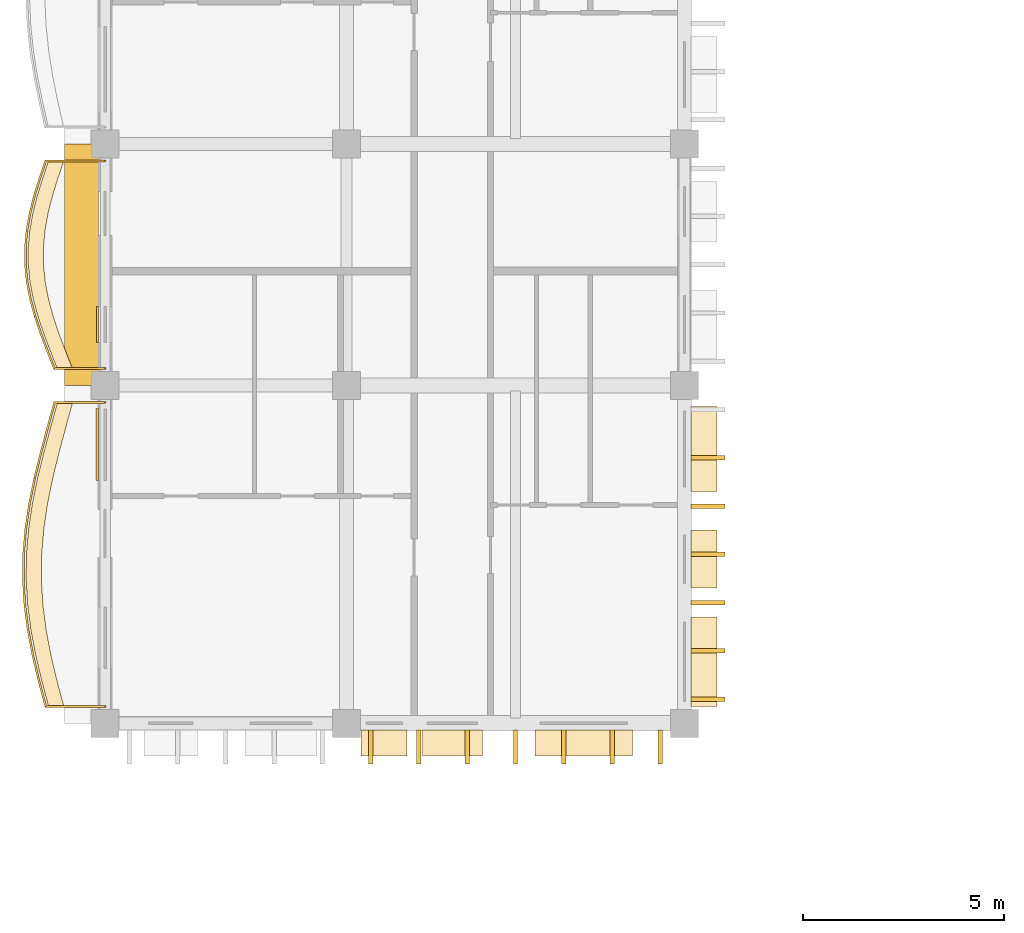
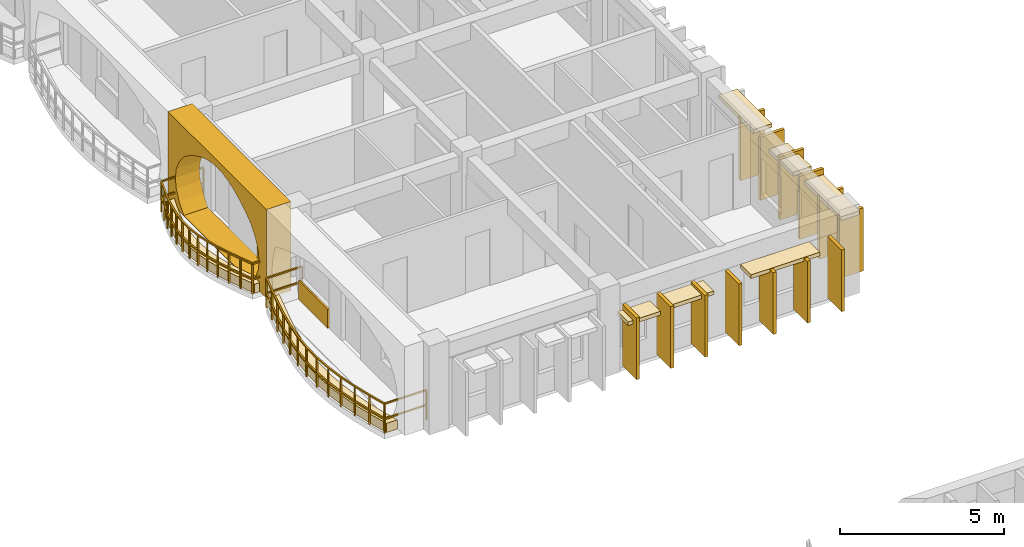
# One storey, part 48 of 70: 24 coverings, 2 railings.
"""IFC4 building model written with IfcOpenShell, lengths in metres."""

from ifc_helpers import new_model, si_unit, direction, frame, origin, origin_2d, place, context, subcontext, project, spatial, polyline, rectangle, outline, extrude, material, layer, layer_set, type_object, element, save


model = new_model("IFC4")

# Units and contexts
model_context = context("Model", 3, precision=1e-05, world=origin(), true_north=direction((0.0, 1.0)))
body_context = subcontext(model_context, "Body", "Model", "MODEL_VIEW")
ifc_project = project(units=[si_unit("LENGTHUNIT", "METRE"), si_unit("AREAUNIT", "SQUARE_METRE"), si_unit("VOLUMEUNIT", "CUBIC_METRE"), si_unit("PLANEANGLEUNIT", "RADIAN"), si_unit("MASSUNIT", "GRAM", prefix="KILO"), si_unit("THERMODYNAMICTEMPERATUREUNIT", "KELVIN")], contexts=[model_context])

# Site, building, storey
site_placement = place(None, origin())
site = spatial("IfcSite", under=ifc_project, at=site_placement, CompositionType="ELEMENT")
building_placement = place(site_placement, origin())
building = spatial("IfcBuilding", under=site, at=building_placement, Name="Thalorik Housing Commons", CompositionType="ELEMENT")
storey_placement = place(building_placement, frame((0.0, 0.0, 14.699951171875)))
storey = spatial("IfcBuildingStorey", under=building, at=storey_placement, Name="L04", CompositionType="ELEMENT", Elevation=14.699951171875)

# Coverings
ifc_material_1 = material(Name="Cobalt blue glazed ceramic facade tile panel", Category="masonry")
ifc_layer_1 = layer(ifc_material_1, 0.06005859375, Name="Cobalt blue glazed ceramic facade tile panel", Category="masonry")
ifc_layer_set_1 = layer_set([ifc_layer_1], Name="Cobalt blue glazed ceramic facade tile panel")
covering_type_1 = type_object("IfcCoveringType", Name="ARC-CLD-BLU-60", PredefinedType="CLADDING", material=ifc_layer_set_1)
covering_1_placement = place(storey_placement, frame((8.205078125, 78.929931640625, 0.05029296875), z_axis=(0.0, 0.0, 1.0), x_axis=(0.0, -1.0, 0.0)))
element("IfcCovering", 1, at=covering_1_placement, inside=storey, type_object=covering_type_1, Name="L04 De Stijl Recessed Window Spandrel 451", PredefinedType="CLADDING", context=body_context, shape_type="SweptSolid", body=[
    extrude(rectangle(XDim=1.780029296875, YDim=0.06005859375, at=origin_2d()), origin(), (0.0, 0.0, 1.0), 0.699951171875),
])
ifc_material_2 = material(Name="Precast concrete C40/50", Category="concrete")
ifc_layer_2 = layer(ifc_material_2, 0.85009765625, Name="Precast concrete C40/50", Category="concrete")
ifc_layer_set_2 = layer_set([ifc_layer_2], Name="Precast concrete C40/50")
covering_type_2 = type_object("IfcCoveringType", Name="ARC-CLD-CUSH-850", PredefinedType="CLADDING", material=ifc_layer_set_2)
covering_2_placement = place(storey_placement, frame((7.81494140625, 83.39990234375, 0.0), z_axis=(0.0, 0.0, 1.0), x_axis=(0.0, -1.0, 0.0)))
element("IfcCovering", 2, at=covering_2_placement, inside=storey, type_object=covering_type_2, Name="L04 White Precast Curved Cushion Bay Frame 448", PredefinedType="CLADDING", context=body_context, shape_type="SweptSolid", body=[
    extrude(outline(polyline([(-3.0, 0.0), (3.0, 0.0), (3.0, 3.300048828125), (-3.0, 3.300048828125), (-3.0, 0.0)]), holes=[polyline([(2.0400390625, 0.02490234375), (2.3232421875, 0.387451171875), (2.493408203125, 0.75), (2.550048828125, 1.112548828125), (2.493408203125, 1.47509765625), (2.3232421875, 1.83740234375), (2.0400390625, 2.199951171875), (1.699951171875, 2.455810546875), (1.360107421875, 2.656494140625), (1.02001953125, 2.819091796875), (0.679931640625, 2.940185546875), (0.340087890625, 3.014892578125), (0.0, 3.0400390625), (-0.340087890625, 3.014892578125), (-0.679931640625, 2.940185546875), (-1.02001953125, 2.819091796875), (-1.360107421875, 2.656494140625), (-1.699951171875, 2.455810546875), (-2.0400390625, 2.199951171875), (-2.3232421875, 1.83740234375), (-2.493408203125, 1.47509765625), (-2.550048828125, 1.112548828125), (-2.493408203125, 0.75), (-2.3232421875, 0.387451171875), (-2.0400390625, 0.02490234375), (2.0400390625, 0.02490234375)])]), frame((0.0, 0.425048828125, 0.0), z_axis=(0.0, -1.0, 0.0), x_axis=(1.0, 0.0, 0.0)), (0.0, 0.0, 1.0), 0.85009765625),
])
ifc_layer_3 = layer(ifc_material_2, 0.85009765625, Name="Precast concrete C40/50", Category="concrete")
ifc_layer_set_3 = layer_set([ifc_layer_3], Name="Precast concrete C40/50")
covering_type_3 = type_object("IfcCoveringType", Name="ARC-CLD-FIN-850", PredefinedType="CLADDING", material=ifc_layer_set_3)
for number, where, z_axis, x_axis, name in (
    (3, (15.0, 71.4150390625, 0.0400390625), (0.0, 0.0, 1.0), (1.0, 0.0, 0.0), "L04 Courtyard Precast Vertical Brise-Soleil Fin 459"),
    (4, (16.199951171875, 71.4150390625, 0.0400390625), (0.0, 0.0, 1.0), (1.0, 0.0, 0.0), "L04 Courtyard Precast Vertical Brise-Soleil Fin 460"),
    (5, (17.39990234375, 71.4150390625, 0.0400390625), (0.0, 0.0, 1.0), (1.0, 0.0, 0.0), "L04 Courtyard Precast Vertical Brise-Soleil Fin 461"),
    (6, (18.60009765625, 71.4150390625, 0.0400390625), (0.0, 0.0, 1.0), (1.0, 0.0, 0.0), "L04 Courtyard Precast Vertical Brise-Soleil Fin 462"),
    (7, (19.800048828125, 71.4150390625, 0.0400390625), (0.0, 0.0, 1.0), (1.0, 0.0, 0.0), "L04 Courtyard Precast Vertical Brise-Soleil Fin 463"),
    (8, (21.0, 71.4150390625, 0.0400390625), (0.0, 0.0, 1.0), (1.0, 0.0, 0.0), "L04 Courtyard Precast Vertical Brise-Soleil Fin 464"),
    (9, (22.199951171875, 71.4150390625, 0.0400390625), (0.0, 0.0, 1.0), (1.0, 0.0, 0.0), "L04 Courtyard Precast Vertical Brise-Soleil Fin 465"),
):
    element("IfcCovering", number, at=place(storey_placement, frame(where, z_axis=z_axis, x_axis=x_axis)), inside=storey, type_object=covering_type_3, Name=name, PredefinedType="CLADDING", context=body_context, shape_type="SweptSolid", body=[
        extrude(rectangle(XDim=0.110107421875, YDim=0.85009765625, at=origin_2d()), origin(), (0.0, 0.0, 1.0), 2.294921875),
    ])
for number, where, z_axis, x_axis, name in (
    (10, (23.385009765625, 72.60009765625, 0.0400390625), (0.0, 0.0, 1.0), (0.0, 1.0, 0.0), "L04 Courtyard Precast Vertical Brise-Soleil Fin 469"),
    (11, (23.385009765625, 73.800048828125, 0.0400390625), (0.0, 0.0, 1.0), (0.0, 1.0, 0.0), "L04 Courtyard Precast Vertical Brise-Soleil Fin 470"),
    (12, (23.385009765625, 75.0, 0.0400390625), (0.0, 0.0, 1.0), (0.0, 1.0, 0.0), "L04 Courtyard Precast Vertical Brise-Soleil Fin 471"),
    (13, (23.385009765625, 76.199951171875, 0.0400390625), (0.0, 0.0, 1.0), (0.0, 1.0, 0.0), "L04 Courtyard Precast Vertical Brise-Soleil Fin 472"),
    (14, (23.385009765625, 77.39990234375, 0.0400390625), (0.0, 0.0, 1.0), (0.0, 1.0, 0.0), "L04 Courtyard Precast Vertical Brise-Soleil Fin 473"),
    (15, (23.385009765625, 78.60009765625, 0.0400390625), (0.0, 0.0, 1.0), (0.0, 1.0, 0.0), "L04 Courtyard Precast Vertical Brise-Soleil Fin 474"),
):
    element("IfcCovering", number, at=place(storey_placement, frame(where, z_axis=z_axis, x_axis=x_axis)), inside=storey, type_object=covering_type_3, Name=name, PredefinedType="CLADDING", context=body_context, shape_type="SweptSolid", body=[
        extrude(rectangle(XDim=0.110107421875, YDim=0.85009765625, at=origin_2d()), origin(), (0.0, 0.0, 1.0), 2.344970703125),
    ])
ifc_layer_4 = layer(ifc_material_2, 0.64990234375, Name="Precast concrete C40/50", Category="concrete")
ifc_layer_set_4 = layer_set([ifc_layer_4], Name="Precast concrete C40/50")
covering_type_4 = type_object("IfcCoveringType", Name="ARC-CLD-HOOD-650", PredefinedType="CLADDING", material=ifc_layer_set_4)
covering_3_placement = place(storey_placement, frame((15.3349609375, 71.514892578125, 1.990234375), z_axis=(0.0, 0.0, 1.0), x_axis=(1.0, 0.0, 0.0)))
element("IfcCovering", 16, at=covering_3_placement, inside=storey, type_object=covering_type_4, Name="L04 Courtyard Precast Window Sun-Hood 466", PredefinedType="CLADDING", context=body_context, shape_type="SweptSolid", body=[
    extrude(rectangle(XDim=1.139892578125, YDim=0.64990234375, at=origin_2d()), origin(), (0.0, 0.0, 1.0), 0.139892578125),
])
covering_4_placement = place(storey_placement, frame((17.030029296875, 71.514892578125, 2.09033203125), z_axis=(0.0, 0.0, 1.0), x_axis=(1.0, 0.0, 0.0)))
element("IfcCovering", 17, at=covering_4_placement, inside=storey, type_object=covering_type_4, Name="L04 Courtyard Precast Window Sun-Hood 467", PredefinedType="CLADDING", context=body_context, shape_type="SweptSolid", body=[
    extrude(rectangle(XDim=1.489990234375, YDim=0.64990234375, at=origin_2d()), origin(), (0.0, 0.0, 1.0), 0.139892578125),
])
covering_5_placement = place(storey_placement, frame((20.294921875, 71.514892578125, 2.22509765625), z_axis=(0.0, 0.0, 1.0), x_axis=(1.0, 0.0, 0.0)))
element("IfcCovering", 18, at=covering_5_placement, inside=storey, type_object=covering_type_4, Name="L04 Courtyard Precast Window Sun-Hood 468", PredefinedType="CLADDING", context=body_context, shape_type="SweptSolid", body=[
    extrude(rectangle(XDim=2.419921875, YDim=0.64990234375, at=origin_2d()), origin(), (0.0, 0.0, 1.0), 0.139892578125),
])
covering_6_placement = place(storey_placement, frame((23.284912109375, 73.5341796875, 2.27490234375), z_axis=(0.0, 0.0, 1.0), x_axis=(0.0, 1.0, 0.0)))
element("IfcCovering", 19, at=covering_6_placement, inside=storey, type_object=covering_type_4, Name="L04 Courtyard Precast Window Sun-Hood 476", PredefinedType="CLADDING", context=body_context, shape_type="SweptSolid", body=[
    extrude(rectangle(XDim=2.219970703125, YDim=0.64990234375, at=origin_2d()), origin(), (0.0, 0.0, 1.0), 0.139892578125),
])
covering_7_placement = place(storey_placement, frame((23.284912109375, 76.082275390625, 2.14013671875), z_axis=(0.0, 0.0, 1.0), x_axis=(0.0, 1.0, 0.0)))
element("IfcCovering", 20, at=covering_7_placement, inside=storey, type_object=covering_type_4, Name="L04 Courtyard Precast Window Sun-Hood 477", PredefinedType="CLADDING", context=body_context, shape_type="SweptSolid", body=[
    extrude(rectangle(XDim=1.43994140625, YDim=0.64990234375, at=origin_2d()), origin(), (0.0, 0.0, 1.0), 0.139892578125),
])
covering_8_placement = place(storey_placement, frame((23.284912109375, 78.818115234375, 2.27490234375), z_axis=(0.0, 0.0, 1.0), x_axis=(0.0, 1.0, 0.0)))
element("IfcCovering", 21, at=covering_8_placement, inside=storey, type_object=covering_type_4, Name="L04 Courtyard Precast Window Sun-Hood 478", PredefinedType="CLADDING", context=body_context, shape_type="SweptSolid", body=[
    extrude(rectangle(XDim=2.1201171875, YDim=0.64990234375, at=origin_2d()), origin(), (0.0, 0.0, 1.0), 0.139892578125),
])
ifc_material_3 = material(Name="Terracotta red mineral fibre-cement panel", Category="masonry")
ifc_layer_5 = layer(ifc_material_3, 0.054931640625, Name="Terracotta red mineral fibre-cement panel", Category="masonry")
ifc_layer_set_5 = layer_set([ifc_layer_5], Name="Terracotta red mineral fibre-cement panel")
covering_type_5 = type_object("IfcCoveringType", Name="ARC-CLD-RED-55", PredefinedType="CLADDING", material=ifc_layer_set_5)
covering_9_placement = place(storey_placement, frame((8.20751953125, 81.9150390625, 0.05029296875), z_axis=(0.0, 0.0, 1.0), x_axis=(0.0, -1.0, 0.0)))
element("IfcCovering", 22, at=covering_9_placement, inside=storey, type_object=covering_type_5, Name="L04 De Stijl Recessed Window Spandrel 449", PredefinedType="CLADDING", context=body_context, shape_type="SweptSolid", body=[
    extrude(rectangle(XDim=0.89990234375, YDim=0.054931640625, at=origin_2d()), origin(), (0.0, 0.0, 1.0), 0.699951171875),
])
ifc_material_4 = material(Name="Planted vegetated substrate and terracotta trough", Category="masonry")
ifc_layer_6 = layer(ifc_material_4, 0.340087890625, Name="Planted vegetated substrate and terracotta trough", Category="masonry")
ifc_layer_set_6 = layer_set([ifc_layer_6], Name="Planted vegetated substrate and terracotta trough")
covering_type_6 = type_object("IfcCoveringType", Name="ARC-COV-PLANTER", PredefinedType="USERDEFINED", material=ifc_layer_set_6)
covering_10_placement = place(storey_placement, origin())
element("IfcCovering", 23, at=covering_10_placement, inside=storey, type_object=covering_type_6, Name="L04 Balcony Slab-Edge Planted Trough 5342", ObjectType="PLANTER", PredefinedType="USERDEFINED", context=body_context, shape_type="SweptSolid", body=[
    extrude(outline(polyline([(7.214111328125, 79.97998046875), (7.04150390625, 79.35009765625), (6.872314453125, 78.719970703125), (6.718017578125, 78.090087890625), (6.589599609375, 77.4599609375), (6.495849609375, 76.830078125), (6.443603515625, 76.199951171875), (6.436279296875, 75.570068359375), (6.474609375, 74.93994140625), (6.556640625, 74.31005859375), (6.676513671875, 73.679931640625), (6.825927734375, 73.050048828125), (6.9951171875, 72.419921875), (7.375, 72.419921875), (7.205810546875, 73.050048828125), (7.056396484375, 73.679931640625), (6.9365234375, 74.31005859375), (6.854736328125, 74.93994140625), (6.816162109375, 75.570068359375), (6.823486328125, 76.199951171875), (6.8759765625, 76.830078125), (6.969482421875, 77.4599609375), (7.09814453125, 78.090087890625), (7.252197265625, 78.719970703125), (7.42138671875, 79.35009765625), (7.59423828125, 79.97998046875), (7.214111328125, 79.97998046875)])), origin(), (0.0, 0.0, 1.0), 0.340087890625),
])
covering_11_placement = place(storey_placement, origin())
element("IfcCovering", 24, at=covering_11_placement, inside=storey, type_object=covering_type_6, Name="L04 Balcony Slab-Edge Planted Trough 5343", ObjectType="PLANTER", PredefinedType="USERDEFINED", context=body_context, shape_type="SweptSolid", body=[
    extrude(outline(polyline([(6.99365234375, 85.97998046875), (6.8466796875, 85.550048828125), (6.7138671875, 85.1201171875), (6.604736328125, 84.68994140625), (6.52734375, 84.260009765625), (6.48779296875, 83.830078125), (6.489013671875, 83.39990234375), (6.531982421875, 82.969970703125), (6.614501953125, 82.5400390625), (6.731689453125, 82.110107421875), (6.876220703125, 81.679931640625), (7.03857421875, 81.25), (7.20849609375, 80.820068359375), (7.58837890625, 80.820068359375), (7.418701171875, 81.25), (7.256103515625, 81.679931640625), (7.11181640625, 82.110107421875), (6.99462890625, 82.5400390625), (6.912109375, 82.969970703125), (6.868896484375, 83.39990234375), (6.86767578125, 83.830078125), (6.907470703125, 84.260009765625), (6.98486328125, 84.68994140625), (7.09375, 85.1201171875), (7.2265625, 85.550048828125), (7.37353515625, 85.97998046875), (6.99365234375, 85.97998046875)])), origin(), (0.0, 0.0, 1.0), 0.340087890625),
])

# Railings
ifc_material_5 = material(Name="Steel S355", Category="steel")
railing_type_1 = type_object("IfcRailingType", Name="ARC-RL-BAL-112", PredefinedType="BALUSTRADE", material=ifc_material_5)
railing_1_placement = place(storey_placement, frame((8.39990234375, 79.97998046875, 0.0)))
element("IfcRailing", 25, at=railing_1_placement, inside=storey, type_object=railing_type_1, Name="L04 Cushion Balcony Guardrail 26", PredefinedType="BALUSTRADE", context=body_context, shape_type="SweptSolid", body=[
    extrude(rectangle(XDim=0.050048828125, YDim=0.050048828125, at=origin_2d()), frame((0.0, 0.0, 1.09521484375), z_axis=(-1.0, 0.0, 0.0), x_axis=(0.0, -1.0, 0.0)), (0.0, 0.0, 1.0), 1.255615234375),
    extrude(rectangle(XDim=0.050048828125, YDim=0.050048828125, at=origin_2d()), frame((0.0, 0.0, 0.53515625), z_axis=(-1.0, 0.0, 0.0), x_axis=(0.0, -1.0, 0.0)), (0.0, 0.0, 1.0), 1.255615234375),
    extrude(rectangle(XDim=0.050048828125, YDim=0.050048828125, at=origin_2d()), frame((-1.255615234375, 0.0, 1.09521484375), z_axis=(-0.264635195896, -0.964348595215, 0.0), x_axis=(0.964348595215, -0.264635195896, 0.0)), (0.0, 0.0, 1.0), 0.653076171875),
    extrude(rectangle(XDim=0.050048828125, YDim=0.050048828125, at=origin_2d()), frame((-1.255615234375, 0.0, 0.53515625), z_axis=(-0.264635195896, -0.964348595215, 0.0), x_axis=(0.964348595215, -0.264635195896, 0.0)), (0.0, 0.0, 1.0), 0.653076171875),
    extrude(rectangle(XDim=0.050048828125, YDim=0.050048828125, at=origin_2d()), frame((-1.428466796875, -0.6298828125, 1.09521484375), z_axis=(-0.259315865453, -0.965792566716, 0.0), x_axis=(0.965792566716, -0.259315865453, 0.0)), (0.0, 0.0, 1.0), 0.65234375),
    extrude(rectangle(XDim=0.050048828125, YDim=0.050048828125, at=origin_2d()), frame((-1.428466796875, -0.6298828125, 0.53515625), z_axis=(-0.259315865453, -0.965792566716, 0.0), x_axis=(0.965792566716, -0.259315865453, 0.0)), (0.0, 0.0, 1.0), 0.65234375),
    extrude(rectangle(XDim=0.050048828125, YDim=0.050048828125, at=origin_2d()), frame((-1.59765625, -1.260009765625, 1.09521484375), z_axis=(-0.23757151253, -0.971370051234, 0.0), x_axis=(0.971370051234, -0.23757151253, 0.0)), (0.0, 0.0, 1.0), 0.6484375),
    extrude(rectangle(XDim=0.050048828125, YDim=0.050048828125, at=origin_2d()), frame((-1.59765625, -1.260009765625, 0.53515625), z_axis=(-0.23757151253, -0.971370051234, 0.0), x_axis=(0.971370051234, -0.23757151253, 0.0)), (0.0, 0.0, 1.0), 0.6484375),
    extrude(rectangle(XDim=0.050048828125, YDim=0.050048828125, at=origin_2d()), frame((-1.751708984375, -1.889892578125, 1.09521484375), z_axis=(-0.200056698053, -0.979784321963, 0.0), x_axis=(0.979784321963, -0.200056698053, 0.0)), (0.0, 0.0, 1.0), 0.64306640625),
    extrude(rectangle(XDim=0.050048828125, YDim=0.050048828125, at=origin_2d()), frame((-1.751708984375, -1.889892578125, 0.53515625), z_axis=(-0.200056698053, -0.979784321963, 0.0), x_axis=(0.979784321963, -0.200056698053, 0.0)), (0.0, 0.0, 1.0), 0.64306640625),
    extrude(rectangle(XDim=0.050048828125, YDim=0.050048828125, at=origin_2d()), frame((-1.88037109375, -2.52001953125, 1.09521484375), z_axis=(-0.147215543838, -0.98910443516, 0.0), x_axis=(0.98910443516, -0.147215543838, 0.0)), (0.0, 0.0, 1.0), 0.63671875),
    extrude(rectangle(XDim=0.050048828125, YDim=0.050048828125, at=origin_2d()), frame((-1.88037109375, -2.52001953125, 0.53515625), z_axis=(-0.147215543838, -0.98910443516, 0.0), x_axis=(0.98910443516, -0.147215543838, 0.0)), (0.0, 0.0, 1.0), 0.63671875),
    extrude(rectangle(XDim=0.050048828125, YDim=0.050048828125, at=origin_2d()), frame((-1.97412109375, -3.14990234375, 1.09521484375), z_axis=(-0.082630058872, -0.996580289475, 0.0), x_axis=(0.996580289475, -0.082630058872, 0.0)), (0.0, 0.0, 1.0), 0.63232421875),
    extrude(rectangle(XDim=0.050048828125, YDim=0.050048828125, at=origin_2d()), frame((-1.97412109375, -3.14990234375, 0.53515625), z_axis=(-0.082630058872, -0.996580289475, 0.0), x_axis=(0.996580289475, -0.082630058872, 0.0)), (0.0, 0.0, 1.0), 0.63232421875),
    extrude(rectangle(XDim=0.050048828125, YDim=0.050048828125, at=origin_2d()), frame((-2.0263671875, -3.780029296875, 1.09521484375), z_axis=(-0.011627120962, -0.999932402744, 0.0), x_axis=(0.999932402744, -0.011627120962, 0.0)), (0.0, 0.0, 1.0), 0.6298828125),
    extrude(rectangle(XDim=0.050048828125, YDim=0.050048828125, at=origin_2d()), frame((-2.0263671875, -3.780029296875, 0.53515625), z_axis=(-0.011627120962, -0.999932402744, 0.0), x_axis=(0.999932402744, -0.011627120962, 0.0)), (0.0, 0.0, 1.0), 0.6298828125),
    extrude(rectangle(XDim=0.050048828125, YDim=0.050048828125, at=origin_2d()), frame((-2.03369140625, -4.409912109375, 1.09521484375), z_axis=(0.061102200449, -0.998131514932, 0.0), x_axis=(0.998131514932, 0.061102200449, 0.0)), (0.0, 0.0, 1.0), 0.63134765625),
    extrude(rectangle(XDim=0.050048828125, YDim=0.050048828125, at=origin_2d()), frame((-2.03369140625, -4.409912109375, 0.53515625), z_axis=(0.061102200449, -0.998131514932, 0.0), x_axis=(0.998131514932, 0.061102200449, 0.0)), (0.0, 0.0, 1.0), 0.63134765625),
    extrude(rectangle(XDim=0.050048828125, YDim=0.050048828125, at=origin_2d()), frame((-1.9951171875, -5.0400390625, 1.09521484375), z_axis=(0.128764035815, -0.9916752609, 0.0), x_axis=(0.9916752609, 0.128764035815, 0.0)), (0.0, 0.0, 1.0), 0.63525390625),
    extrude(rectangle(XDim=0.050048828125, YDim=0.050048828125, at=origin_2d()), frame((-1.9951171875, -5.0400390625, 0.53515625), z_axis=(0.128764035815, -0.9916752609, 0.0), x_axis=(0.9916752609, 0.128764035815, 0.0)), (0.0, 0.0, 1.0), 0.63525390625),
    extrude(rectangle(XDim=0.050048828125, YDim=0.050048828125, at=origin_2d()), frame((-1.913330078125, -5.669921875, 1.09521484375), z_axis=(0.186884729941, -0.982381849239, 0.0), x_axis=(0.982381849239, 0.186884729941, 0.0)), (0.0, 0.0, 1.0), 0.641357421875),
    extrude(rectangle(XDim=0.050048828125, YDim=0.050048828125, at=origin_2d()), frame((-1.913330078125, -5.669921875, 0.53515625), z_axis=(0.186884729941, -0.982381849239, 0.0), x_axis=(0.982381849239, 0.186884729941, 0.0)), (0.0, 0.0, 1.0), 0.641357421875),
    extrude(rectangle(XDim=0.050048828125, YDim=0.050048828125, at=origin_2d()), frame((-1.79345703125, -6.300048828125, 1.09521484375), z_axis=(0.230804675744, -0.973000103625, 0.0), x_axis=(0.973000103625, 0.230804675744, 0.0)), (0.0, 0.0, 1.0), 0.6474609375),
    extrude(rectangle(XDim=0.050048828125, YDim=0.050048828125, at=origin_2d()), frame((-1.79345703125, -6.300048828125, 0.53515625), z_axis=(0.230804675744, -0.973000103625, 0.0), x_axis=(0.973000103625, 0.230804675744, 0.0)), (0.0, 0.0, 1.0), 0.6474609375),
    extrude(rectangle(XDim=0.050048828125, YDim=0.050048828125, at=origin_2d()), frame((-1.64404296875, -6.929931640625, 1.09521484375), z_axis=(0.259315865453, -0.965792566716, 0.0), x_axis=(0.965792566716, 0.259315865453, 0.0)), (0.0, 0.0, 1.0), 0.65234375),
    extrude(rectangle(XDim=0.050048828125, YDim=0.050048828125, at=origin_2d()), frame((-1.64404296875, -6.929931640625, 0.53515625), z_axis=(0.259315865453, -0.965792566716, 0.0), x_axis=(0.965792566716, 0.259315865453, 0.0)), (0.0, 0.0, 1.0), 0.65234375),
    extrude(rectangle(XDim=0.050048828125, YDim=0.050048828125, at=origin_2d()), frame((-1.474853515625, -7.56005859375, 1.09521484375), z_axis=(1.0, 0.0, 0.0), x_axis=(0.0, 1.0, 0.0)), (0.0, 0.0, 1.0), 1.474853515625),
    extrude(rectangle(XDim=0.050048828125, YDim=0.050048828125, at=origin_2d()), frame((-1.474853515625, -7.56005859375, 0.53515625), z_axis=(1.0, 0.0, 0.0), x_axis=(0.0, 1.0, 0.0)), (0.0, 0.0, 1.0), 1.474853515625),
    extrude(rectangle(XDim=0.0419921875, YDim=0.0419921875, at=origin_2d()), origin(), (0.0, 0.0, 1.0), 1.070068359375),
    extrude(rectangle(XDim=0.0419921875, YDim=0.0419921875, at=origin_2d()), frame((-1.255615234375, 0.0, 0.0)), (0.0, 0.0, 1.0), 1.070068359375),
    extrude(rectangle(XDim=0.0419921875, YDim=0.0419921875, at=origin_2d()), frame((-1.428466796875, -0.6298828125, 0.0)), (0.0, 0.0, 1.0), 1.070068359375),
    extrude(rectangle(XDim=0.0419921875, YDim=0.0419921875, at=origin_2d()), frame((-1.59765625, -1.260009765625, 0.0)), (0.0, 0.0, 1.0), 1.070068359375),
    extrude(rectangle(XDim=0.0419921875, YDim=0.0419921875, at=origin_2d()), frame((-1.751708984375, -1.889892578125, 0.0)), (0.0, 0.0, 1.0), 1.070068359375),
    extrude(rectangle(XDim=0.0419921875, YDim=0.0419921875, at=origin_2d()), frame((-1.88037109375, -2.52001953125, 0.0)), (0.0, 0.0, 1.0), 1.070068359375),
    extrude(rectangle(XDim=0.0419921875, YDim=0.0419921875, at=origin_2d()), frame((-1.97412109375, -3.14990234375, 0.0)), (0.0, 0.0, 1.0), 1.070068359375),
    extrude(rectangle(XDim=0.0419921875, YDim=0.0419921875, at=origin_2d()), frame((-2.0263671875, -3.780029296875, 0.0)), (0.0, 0.0, 1.0), 1.070068359375),
    extrude(rectangle(XDim=0.0419921875, YDim=0.0419921875, at=origin_2d()), frame((-2.03369140625, -4.409912109375, 0.0)), (0.0, 0.0, 1.0), 1.070068359375),
    extrude(rectangle(XDim=0.0419921875, YDim=0.0419921875, at=origin_2d()), frame((-1.9951171875, -5.0400390625, 0.0)), (0.0, 0.0, 1.0), 1.070068359375),
    extrude(rectangle(XDim=0.0419921875, YDim=0.0419921875, at=origin_2d()), frame((-1.913330078125, -5.669921875, 0.0)), (0.0, 0.0, 1.0), 1.070068359375),
    extrude(rectangle(XDim=0.0419921875, YDim=0.0419921875, at=origin_2d()), frame((-1.79345703125, -6.300048828125, 0.0)), (0.0, 0.0, 1.0), 1.070068359375),
    extrude(rectangle(XDim=0.0419921875, YDim=0.0419921875, at=origin_2d()), frame((-1.64404296875, -6.929931640625, 0.0)), (0.0, 0.0, 1.0), 1.070068359375),
    extrude(rectangle(XDim=0.0419921875, YDim=0.0419921875, at=origin_2d()), frame((-1.474853515625, -7.56005859375, 0.0)), (0.0, 0.0, 1.0), 1.070068359375),
    extrude(rectangle(XDim=0.0419921875, YDim=0.0419921875, at=origin_2d()), frame((0.0, -7.56005859375, 0.0)), (0.0, 0.0, 1.0), 1.070068359375),
])
railing_type_2 = type_object("IfcRailingType", Name="ARC-RL-BAL-115", PredefinedType="BALUSTRADE", material=ifc_material_5)
railing_2_placement = place(storey_placement, frame((8.39990234375, 85.97998046875, 0.0)))
element("IfcRailing", 26, at=railing_2_placement, inside=storey, type_object=railing_type_2, Name="L04 Cushion Balcony Guardrail 27", PredefinedType="BALUSTRADE", context=body_context, shape_type="SweptSolid", body=[
    extrude(rectangle(XDim=0.050048828125, YDim=0.050048828125, at=origin_2d()), frame((0.0, 0.0, 1.125), z_axis=(-1.0, 0.0, 0.0), x_axis=(0.0, -1.0, 0.0)), (0.0, 0.0, 1.0), 1.476318359375),
    extrude(rectangle(XDim=0.050048828125, YDim=0.050048828125, at=origin_2d()), frame((0.0, 0.0, 0.5498046875), z_axis=(-1.0, 0.0, 0.0), x_axis=(0.0, -1.0, 0.0)), (0.0, 0.0, 1.0), 1.476318359375),
    extrude(rectangle(XDim=0.050048828125, YDim=0.050048828125, at=origin_2d()), frame((-1.476318359375, 0.0, 1.125), z_axis=(-0.323472472316, -0.946237580977, 0.0), x_axis=(0.946237580977, -0.323472472316, 0.0)), (0.0, 0.0, 1.0), 0.454345703125),
    extrude(rectangle(XDim=0.050048828125, YDim=0.050048828125, at=origin_2d()), frame((-1.476318359375, 0.0, 0.5498046875), z_axis=(-0.323472472316, -0.946237580977, 0.0), x_axis=(0.946237580977, -0.323472472316, 0.0)), (0.0, 0.0, 1.0), 0.454345703125),
    extrude(rectangle(XDim=0.050048828125, YDim=0.050048828125, at=origin_2d()), frame((-1.623291015625, -0.429931640625, 1.125), z_axis=(-0.295153190853, -0.955449943184, 0.0), x_axis=(0.955449943184, -0.295153190853, 0.0)), (0.0, 0.0, 1.0), 0.449951171875),
    extrude(rectangle(XDim=0.050048828125, YDim=0.050048828125, at=origin_2d()), frame((-1.623291015625, -0.429931640625, 0.5498046875), z_axis=(-0.295153190853, -0.955449943184, 0.0), x_axis=(0.955449943184, -0.295153190853, 0.0)), (0.0, 0.0, 1.0), 0.449951171875),
    extrude(rectangle(XDim=0.050048828125, YDim=0.050048828125, at=origin_2d()), frame((-1.756103515625, -0.85986328125, 1.125), z_axis=(-0.245382597415, -0.969426315346, 0.0), x_axis=(0.969426315346, -0.245382597415, 0.0)), (0.0, 0.0, 1.0), 0.44384765625),
    extrude(rectangle(XDim=0.050048828125, YDim=0.050048828125, at=origin_2d()), frame((-1.756103515625, -0.85986328125, 0.5498046875), z_axis=(-0.245382597415, -0.969426315346, 0.0), x_axis=(0.969426315346, -0.245382597415, 0.0)), (0.0, 0.0, 1.0), 0.44384765625),
    extrude(rectangle(XDim=0.050048828125, YDim=0.050048828125, at=origin_2d()), frame((-1.864990234375, -1.2900390625, 1.125), z_axis=(-0.177163825047, -0.984181375101, 0.0), x_axis=(0.984181375101, -0.177163825047, 0.0)), (0.0, 0.0, 1.0), 0.436767578125),
    extrude(rectangle(XDim=0.050048828125, YDim=0.050048828125, at=origin_2d()), frame((-1.864990234375, -1.2900390625, 0.5498046875), z_axis=(-0.177163825047, -0.984181375101, 0.0), x_axis=(0.984181375101, -0.177163825047, 0.0)), (0.0, 0.0, 1.0), 0.436767578125),
    extrude(rectangle(XDim=0.050048828125, YDim=0.050048828125, at=origin_2d()), frame((-1.9423828125, -1.719970703125, 1.125), z_axis=(-0.092167064095, -0.995743557497, 0.0), x_axis=(0.995743557497, -0.092167064095, 0.0)), (0.0, 0.0, 1.0), 0.431884765625),
    extrude(rectangle(XDim=0.050048828125, YDim=0.050048828125, at=origin_2d()), frame((-1.9423828125, -1.719970703125, 0.5498046875), z_axis=(-0.092167064095, -0.995743557497, 0.0), x_axis=(0.995743557497, -0.092167064095, 0.0)), (0.0, 0.0, 1.0), 0.431884765625),
    extrude(rectangle(XDim=0.050048828125, YDim=0.050048828125, at=origin_2d()), frame((-1.982177734375, -2.14990234375, 1.125), z_axis=(0.002837673024, -0.999995973798, 0.0), x_axis=(0.999995973798, 0.002837673024, 0.0)), (0.0, 0.0, 1.0), 0.43017578125),
    extrude(rectangle(XDim=0.050048828125, YDim=0.050048828125, at=origin_2d()), frame((-1.982177734375, -2.14990234375, 0.5498046875), z_axis=(0.002837673024, -0.999995973798, 0.0), x_axis=(0.999995973798, 0.002837673024, 0.0)), (0.0, 0.0, 1.0), 0.43017578125),
    extrude(rectangle(XDim=0.050048828125, YDim=0.050048828125, at=origin_2d()), frame((-1.98095703125, -2.580078125, 1.125), z_axis=(0.099447773896, -0.995042783134, 0.0), x_axis=(0.995042783134, 0.099447773896, 0.0)), (0.0, 0.0, 1.0), 0.43212890625),
    extrude(rectangle(XDim=0.050048828125, YDim=0.050048828125, at=origin_2d()), frame((-1.98095703125, -2.580078125, 0.5498046875), z_axis=(0.099447773896, -0.995042783134, 0.0), x_axis=(0.995042783134, 0.099447773896, 0.0)), (0.0, 0.0, 1.0), 0.43212890625),
    extrude(rectangle(XDim=0.050048828125, YDim=0.050048828125, at=origin_2d()), frame((-1.93798828125, -3.010009765625, 1.125), z_axis=(0.189033529089, -0.98197063341, 0.0), x_axis=(0.98197063341, 0.189033529089, 0.0)), (0.0, 0.0, 1.0), 0.437744140625),
    extrude(rectangle(XDim=0.050048828125, YDim=0.050048828125, at=origin_2d()), frame((-1.93798828125, -3.010009765625, 0.5498046875), z_axis=(0.189033529089, -0.98197063341, 0.0), x_axis=(0.98197063341, 0.189033529089, 0.0)), (0.0, 0.0, 1.0), 0.437744140625),
    extrude(rectangle(XDim=0.050048828125, YDim=0.050048828125, at=origin_2d()), frame((-1.855224609375, -3.43994140625, 1.125), z_axis=(0.262978327981, -0.96480174078, 0.0), x_axis=(0.96480174078, 0.262978327981, 0.0)), (0.0, 0.0, 1.0), 0.445556640625),
    extrude(rectangle(XDim=0.050048828125, YDim=0.050048828125, at=origin_2d()), frame((-1.855224609375, -3.43994140625, 0.5498046875), z_axis=(0.262978327981, -0.96480174078, 0.0), x_axis=(0.96480174078, 0.262978327981, 0.0)), (0.0, 0.0, 1.0), 0.445556640625),
    extrude(rectangle(XDim=0.050048828125, YDim=0.050048828125, at=origin_2d()), frame((-1.738037109375, -3.869873046875, 1.125), z_axis=(0.318002862604, -0.948089752806, 0.0), x_axis=(0.948089752806, 0.318002862604, 0.0)), (0.0, 0.0, 1.0), 0.45361328125),
    extrude(rectangle(XDim=0.050048828125, YDim=0.050048828125, at=origin_2d()), frame((-1.738037109375, -3.869873046875, 0.5498046875), z_axis=(0.318002862604, -0.948089752806, 0.0), x_axis=(0.948089752806, 0.318002862604, 0.0)), (0.0, 0.0, 1.0), 0.45361328125),
    extrude(rectangle(XDim=0.050048828125, YDim=0.050048828125, at=origin_2d()), frame((-1.59375, -4.300048828125, 1.125), z_axis=(0.353276593611, -0.935518919321, 0.0), x_axis=(0.935518919321, 0.353276593611, 0.0)), (0.0, 0.0, 1.0), 0.45947265625),
    extrude(rectangle(XDim=0.050048828125, YDim=0.050048828125, at=origin_2d()), frame((-1.59375, -4.300048828125, 0.5498046875), z_axis=(0.353276593611, -0.935518919321, 0.0), x_axis=(0.935518919321, 0.353276593611, 0.0)), (0.0, 0.0, 1.0), 0.45947265625),
    extrude(rectangle(XDim=0.050048828125, YDim=0.050048828125, at=origin_2d()), frame((-1.431396484375, -4.72998046875, 1.125), z_axis=(0.367563294414, -0.929998507848, 0.0), x_axis=(0.929998507848, 0.367563294414, 0.0)), (0.0, 0.0, 1.0), 0.46240234375),
    extrude(rectangle(XDim=0.050048828125, YDim=0.050048828125, at=origin_2d()), frame((-1.431396484375, -4.72998046875, 0.5498046875), z_axis=(0.367563294414, -0.929998507848, 0.0), x_axis=(0.929998507848, 0.367563294414, 0.0)), (0.0, 0.0, 1.0), 0.46240234375),
    extrude(rectangle(XDim=0.050048828125, YDim=0.050048828125, at=origin_2d()), frame((-1.261474609375, -5.159912109375, 1.125), z_axis=(1.0, 0.0, 0.0), x_axis=(0.0, 1.0, 0.0)), (0.0, 0.0, 1.0), 1.261474609375),
    extrude(rectangle(XDim=0.050048828125, YDim=0.050048828125, at=origin_2d()), frame((-1.261474609375, -5.159912109375, 0.5498046875), z_axis=(1.0, 0.0, 0.0), x_axis=(0.0, 1.0, 0.0)), (0.0, 0.0, 1.0), 1.261474609375),
    extrude(rectangle(XDim=0.0419921875, YDim=0.0419921875, at=origin_2d()), origin(), (0.0, 0.0, 1.0), 1.099853515625),
    extrude(rectangle(XDim=0.0419921875, YDim=0.0419921875, at=origin_2d()), frame((-1.476318359375, 0.0, 0.0)), (0.0, 0.0, 1.0), 1.099853515625),
    extrude(rectangle(XDim=0.0419921875, YDim=0.0419921875, at=origin_2d()), frame((-1.623291015625, -0.429931640625, 0.0)), (0.0, 0.0, 1.0), 1.099853515625),
    extrude(rectangle(XDim=0.0419921875, YDim=0.0419921875, at=origin_2d()), frame((-1.756103515625, -0.85986328125, 0.0)), (0.0, 0.0, 1.0), 1.099853515625),
    extrude(rectangle(XDim=0.0419921875, YDim=0.0419921875, at=origin_2d()), frame((-1.864990234375, -1.2900390625, 0.0)), (0.0, 0.0, 1.0), 1.099853515625),
    extrude(rectangle(XDim=0.0419921875, YDim=0.0419921875, at=origin_2d()), frame((-1.9423828125, -1.719970703125, 0.0)), (0.0, 0.0, 1.0), 1.099853515625),
    extrude(rectangle(XDim=0.0419921875, YDim=0.0419921875, at=origin_2d()), frame((-1.982177734375, -2.14990234375, 0.0)), (0.0, 0.0, 1.0), 1.099853515625),
    extrude(rectangle(XDim=0.0419921875, YDim=0.0419921875, at=origin_2d()), frame((-1.98095703125, -2.580078125, 0.0)), (0.0, 0.0, 1.0), 1.099853515625),
    extrude(rectangle(XDim=0.0419921875, YDim=0.0419921875, at=origin_2d()), frame((-1.93798828125, -3.010009765625, 0.0)), (0.0, 0.0, 1.0), 1.099853515625),
    extrude(rectangle(XDim=0.0419921875, YDim=0.0419921875, at=origin_2d()), frame((-1.855224609375, -3.43994140625, 0.0)), (0.0, 0.0, 1.0), 1.099853515625),
    extrude(rectangle(XDim=0.0419921875, YDim=0.0419921875, at=origin_2d()), frame((-1.738037109375, -3.869873046875, 0.0)), (0.0, 0.0, 1.0), 1.099853515625),
    extrude(rectangle(XDim=0.0419921875, YDim=0.0419921875, at=origin_2d()), frame((-1.59375, -4.300048828125, 0.0)), (0.0, 0.0, 1.0), 1.099853515625),
    extrude(rectangle(XDim=0.0419921875, YDim=0.0419921875, at=origin_2d()), frame((-1.431396484375, -4.72998046875, 0.0)), (0.0, 0.0, 1.0), 1.099853515625),
    extrude(rectangle(XDim=0.0419921875, YDim=0.0419921875, at=origin_2d()), frame((-1.261474609375, -5.159912109375, 0.0)), (0.0, 0.0, 1.0), 1.099853515625),
    extrude(rectangle(XDim=0.0419921875, YDim=0.0419921875, at=origin_2d()), frame((0.0, -5.159912109375, 0.0)), (0.0, 0.0, 1.0), 1.099853515625),
])

save(model, "model.ifc")
